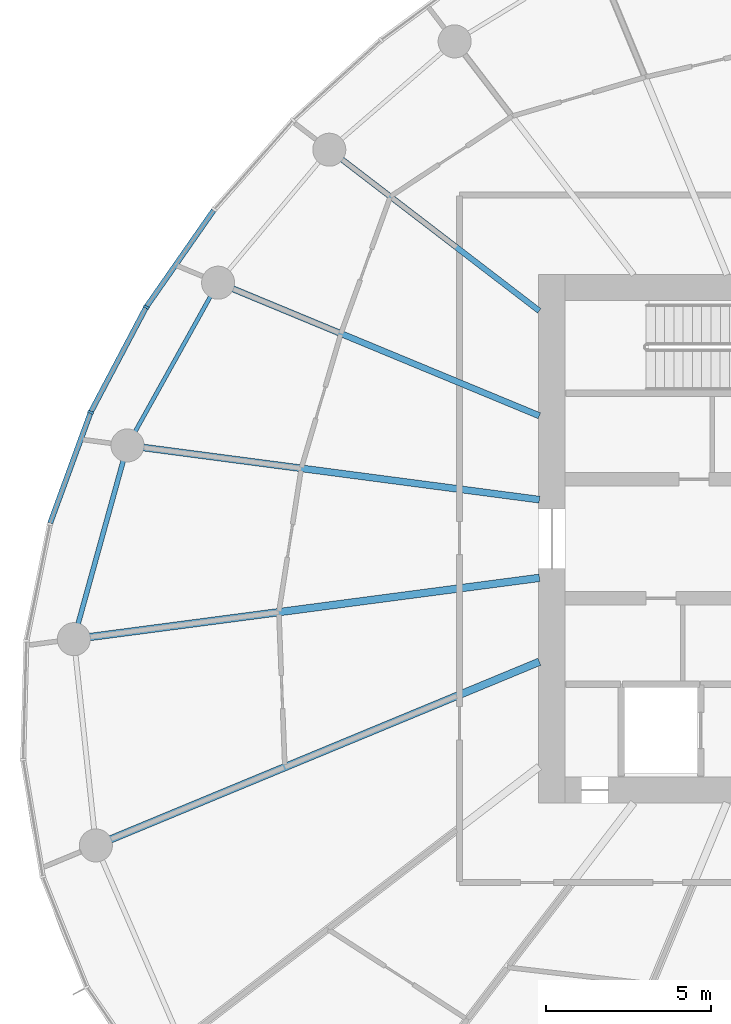
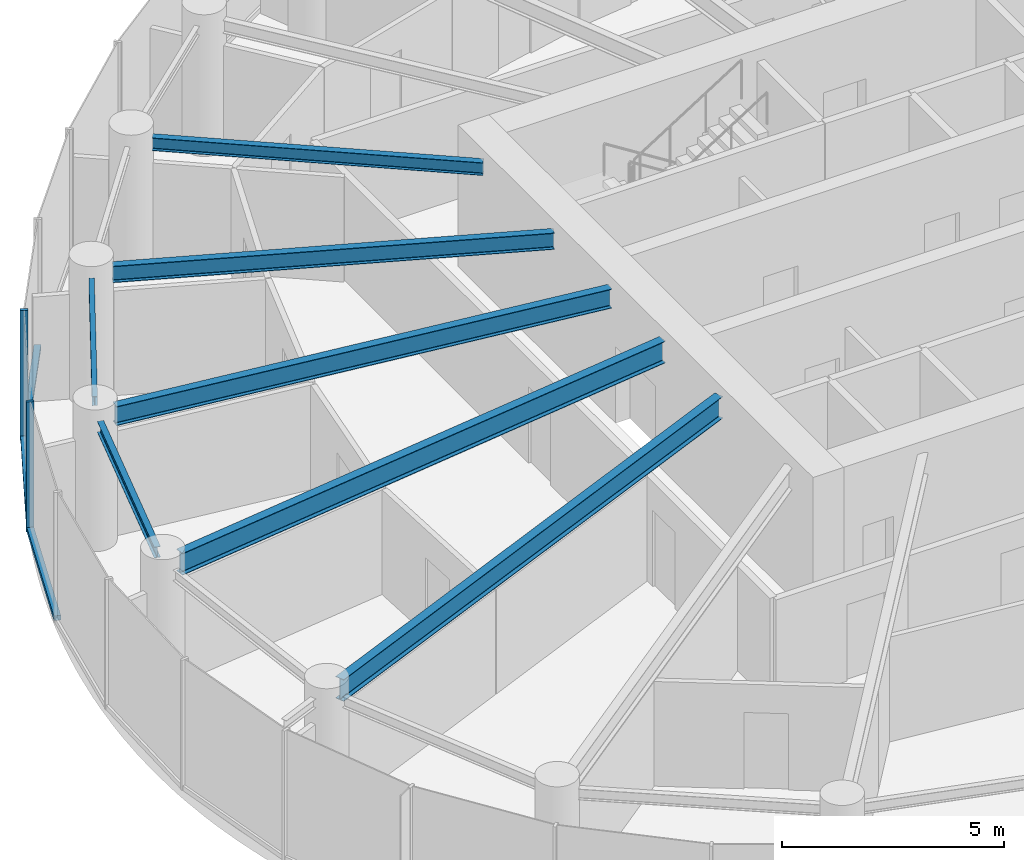
# One storey, part 3 of 14: 7 beams, 5 members, 1 element without a shape of its own.
"""IFC4 building model written with IfcOpenShell, lengths in metres."""

from ifc_helpers import new_model, si_unit, direction, frame, origin, origin_2d, place, context, subcontext, project, spatial, rectangle, i_section, extrude, source, transform, mapped, material, layer, layer_set, material_profile, profile_set, type_object, element, aggregate, save


model = new_model("IFC4")

# Units and contexts
model_context = context("Model", 3, precision=1e-05, world=origin(), true_north=direction((0.0, 1.0)))
body_context = subcontext(model_context, "Body", "Model", "MODEL_VIEW")
ifc_project = project(units=[si_unit("LENGTHUNIT", "METRE"), si_unit("AREAUNIT", "SQUARE_METRE"), si_unit("VOLUMEUNIT", "CUBIC_METRE"), si_unit("PLANEANGLEUNIT", "RADIAN"), si_unit("MASSUNIT", "GRAM", prefix="KILO")], contexts=[model_context])

# Site, building, storey
site_placement = place(None, origin())
site = spatial("IfcSite", under=ifc_project, at=site_placement, CompositionType="ELEMENT")
building_placement = place(site_placement, origin())
building = spatial("IfcBuilding", under=site, at=building_placement, Name="Spindrift Exchange Tower", CompositionType="ELEMENT")
storey_placement = place(building_placement, frame((0.0, 0.0, 156.5)))
storey = spatial("IfcBuildingStorey", under=building, at=storey_placement, Name="L37", CompositionType="ELEMENT", Elevation=156.5)

# Beams
ifc_material_1 = material(Name="Steel Grade 300", Category="steel")
ifc_material_profile_1 = material_profile(ifc_material_1, i_section(OverallWidth=0.1240234375, OverallDepth=0.248046875, WebThickness=0.0048828125, FlangeThickness=0.008056640625, FilletRadius=0.011962890625, at=origin_2d()), Name="250UB25.7")
ifc_profile_set_1 = profile_set([ifc_material_profile_1], Name="Steel Grade 300")
beam_type_1 = type_object("IfcBeamType", Name="Edge Beam 250UB25.7 Steel Grade 300", PredefinedType="SPANDREL", material=ifc_profile_set_1)
shared_shape_1 = source(origin(), body_context, "Body", "SweptSolid", [
    extrude(i_section(OverallWidth=0.1240234375, OverallDepth=0.248046875, WebThickness=0.0048828125, FlangeThickness=0.008056640625, FilletRadius=0.011962890625, at=origin_2d()), origin(), (0.0, 0.0, 1.0), 4.6748046875),
])
beam_1_placement = place(storey_placement, frame((33.067138671875, 55.326171875, 3.4560546875), z_axis=(-0.486587145143, -0.873632045075, 0.0), x_axis=(0.873632045075, -0.486587145143, 0.0)))
element("IfcBeam", 1, at=beam_1_placement, inside=storey, type_object=beam_type_1, Name="L37 edge beam E11", PredefinedType="SPANDREL", context=body_context, shape_type="MappedRepresentation", body=[
    mapped(shared_shape_1, transform((0.0, 0.0, 0.0), scale=1.0)),
])
ifc_material_profile_2 = material_profile(ifc_material_1, i_section(OverallWidth=0.14892578125, OverallDepth=0.298095703125, WebThickness=0.005615234375, FlangeThickness=0.008056640625, FilletRadius=0.012939453125, at=origin_2d()), Name="310UB32.0")
ifc_profile_set_2 = profile_set([ifc_material_profile_2], Name="Steel Grade 300")
beam_type_2 = type_object("IfcBeamType", Name="Edge Beam 310UB32.0 Steel Grade 300", PredefinedType="SPANDREL", material=ifc_profile_set_2)
shared_shape_2 = source(origin(), body_context, "Body", "SweptSolid", [
    extrude(i_section(OverallWidth=0.14892578125, OverallDepth=0.298095703125, WebThickness=0.005615234375, FlangeThickness=0.008056640625, FilletRadius=0.012939453125, at=origin_2d()), origin(), (0.0, 0.0, 1.0), 5.118896484375),
])
beam_2_placement = place(storey_placement, frame((30.430908203125, 50.360107421875, 3.430908203125), z_axis=(-0.266654866605, -0.963792084485, 0.0), x_axis=(0.963792084485, -0.266654866605, 0.0)))
element("IfcBeam", 2, at=beam_2_placement, inside=storey, type_object=beam_type_2, Name="L37 edge beam E12", PredefinedType="SPANDREL", context=body_context, shape_type="MappedRepresentation", body=[
    mapped(shared_shape_2, transform((0.0, 0.0, 0.0), scale=1.0)),
])
ifc_material_profile_3 = material_profile(ifc_material_1, i_section(OverallWidth=0.22802734375, OverallDepth=0.60205078125, WebThickness=0.010498046875, FlangeThickness=0.014892578125, FilletRadius=0.013916015625, at=origin_2d()), Name="610UB101")
ifc_profile_set_3 = profile_set([ifc_material_profile_3], Name="Steel Grade 300")
beam_type_3 = type_object("IfcBeamType", Name="Floor Beam 610UB101 Steel Grade 300", PredefinedType="BEAM", material=ifc_profile_set_3)
shared_shape_3 = source(origin(), body_context, "Body", "SweptSolid", [
    extrude(i_section(OverallWidth=0.22802734375, OverallDepth=0.60205078125, WebThickness=0.010498046875, FlangeThickness=0.014892578125, FilletRadius=0.013916015625, at=origin_2d()), origin(), (0.0, 0.0, 1.0), 13.723388671875),
])
beam_3_placement = place(storey_placement, frame((43.019775390625, 46.817626953125, 3.279052734375), z_axis=(-0.991447148915, -0.13050881544, 0.0), x_axis=(0.13050881544, -0.991447148915, 0.0)))
element("IfcBeam", 3, at=beam_3_placement, inside=storey, type_object=beam_type_3, Name="L37 radial beam R13A", PredefinedType="BEAM", context=body_context, shape_type="MappedRepresentation", body=[
    mapped(shared_shape_3, transform((0.0, 0.0, 0.0), scale=1.0)),
])
shared_shape_4 = source(origin(), body_context, "Body", "SweptSolid", [
    extrude(i_section(OverallWidth=0.22802734375, OverallDepth=0.60205078125, WebThickness=0.010498046875, FlangeThickness=0.014892578125, FilletRadius=0.013916015625, at=origin_2d()), origin(), (0.0, 0.0, 1.0), 14.04052734375),
])
beam_4_placement = place(storey_placement, frame((43.0185546875, 44.27978515625, 3.279052734375), z_axis=(-0.923879501748, -0.382683506634, 0.0), x_axis=(0.382683506634, -0.923879501748, 0.0)))
element("IfcBeam", 4, at=beam_4_placement, inside=storey, type_object=beam_type_3, Name="L37 radial beam R14A", PredefinedType="BEAM", context=body_context, shape_type="MappedRepresentation", body=[
    mapped(shared_shape_4, transform((0.0, 0.0, 0.0), scale=1.0)),
])
ifc_material_profile_4 = material_profile(ifc_material_1, i_section(OverallWidth=0.1708984375, OverallDepth=0.35205078125, WebThickness=0.0068359375, FlangeThickness=0.009765625, FilletRadius=0.013916015625, at=origin_2d()), Name="360UB44.7")
ifc_profile_set_4 = profile_set([ifc_material_profile_4], Name="Steel Grade 300")
beam_type_4 = type_object("IfcBeamType", Name="Floor Beam 360UB44.7 Steel Grade 300", PredefinedType="BEAM", material=ifc_profile_set_4)
shared_shape_5 = source(origin(), body_context, "Body", "SweptSolid", [
    extrude(i_section(OverallWidth=0.1708984375, OverallDepth=0.35205078125, WebThickness=0.0068359375, FlangeThickness=0.009765625, FilletRadius=0.013916015625, at=origin_2d()), origin(), (0.0, 0.0, 1.0), 7.52685546875),
])
beam_5_placement = place(storey_placement, frame((43.015869140625, 54.893798828125, 3.404052734375), z_axis=(-0.793354136078, 0.608760391918, 0.0), x_axis=(-0.608760391918, -0.793354136078, 0.0)))
element("IfcBeam", 5, at=beam_5_placement, inside=storey, type_object=beam_type_4, Name="L37 radial beam R10A", PredefinedType="BEAM", context=body_context, shape_type="MappedRepresentation", body=[
    mapped(shared_shape_5, transform((0.0, 0.0, 0.0), scale=1.0)),
])
ifc_material_profile_5 = material_profile(ifc_material_1, i_section(OverallWidth=0.18994140625, OverallDepth=0.4541015625, WebThickness=0.008544921875, FlangeThickness=0.0126953125, FilletRadius=0.013916015625, at=origin_2d()), Name="460UB67.1")
ifc_profile_set_5 = profile_set([ifc_material_profile_5], Name="Steel Grade 300")
beam_type_5 = type_object("IfcBeamType", Name="Floor Beam 460UB67.1 Steel Grade 300", PredefinedType="BEAM", material=ifc_profile_set_5)
shared_shape_6 = source(origin(), body_context, "Body", "SweptSolid", [
    extrude(i_section(OverallWidth=0.18994140625, OverallDepth=0.4541015625, WebThickness=0.008544921875, FlangeThickness=0.0126953125, FilletRadius=0.013916015625, at=origin_2d()), origin(), (0.0, 0.0, 1.0), 10.03857421875),
])
beam_6_placement = place(storey_placement, frame((43.0185546875, 51.72021484375, 3.35302734375), z_axis=(-0.923880777638, 0.382680426349, 0.0), x_axis=(-0.382680426349, -0.923880777638, 0.0)))
element("IfcBeam", 6, at=beam_6_placement, inside=storey, type_object=beam_type_5, Name="L37 radial beam R11A", PredefinedType="BEAM", context=body_context, shape_type="MappedRepresentation", body=[
    mapped(shared_shape_6, transform((0.0, 0.0, 0.0), scale=1.0)),
])
ifc_material_profile_6 = material_profile(ifc_material_1, i_section(OverallWidth=0.208984375, OverallDepth=0.528076171875, WebThickness=0.009521484375, FlangeThickness=0.01318359375, FilletRadius=0.013916015625, at=origin_2d()), Name="530UB82.0")
ifc_profile_set_6 = profile_set([ifc_material_profile_6], Name="Steel Grade 300")
beam_type_6 = type_object("IfcBeamType", Name="Floor Beam 530UB82.0 Steel Grade 300", PredefinedType="BEAM", material=ifc_profile_set_6)
shared_shape_7 = source(origin(), body_context, "Body", "SweptSolid", [
    extrude(i_section(OverallWidth=0.208984375, OverallDepth=0.528076171875, WebThickness=0.009521484375, FlangeThickness=0.01318359375, FilletRadius=0.013916015625, at=origin_2d()), origin(), (0.0, 0.0, 1.0), 12.088134765625),
])
beam_7_placement = place(storey_placement, frame((43.019775390625, 49.182373046875, 3.31591796875), z_axis=(-0.991447007302, 0.130509891244, 0.0), x_axis=(-0.130509891244, -0.991447007302, 0.0)))
element("IfcBeam", 7, at=beam_7_placement, inside=storey, type_object=beam_type_6, Name="L37 radial beam R12A", PredefinedType="BEAM", context=body_context, shape_type="MappedRepresentation", body=[
    mapped(shared_shape_7, transform((0.0, 0.0, 0.0), scale=1.0)),
])

# Curtain wall, members
ifc_material_2 = material(Name="Fritted laminated glass with bronze frame", Category="glass")
ifc_layer = layer(ifc_material_2, 0.179931640625)
ifc_layer_set = layer_set([ifc_layer], Name="ZONE 3 BRONZE FRITTED WALL")
curtain_wall_type = type_object("IfcCurtainWallType", Name="ZONE 3 BRONZE FRITTED WALL", PredefinedType="NOTDEFINED", material=ifc_layer_set)
curtain_wall_placement = place(storey_placement, origin())
curtain_wall = element("IfcCurtainWall", 8, at=curtain_wall_placement, inside=storey, type_object=curtain_wall_type, Name="L37 Zone 3 Bronze Fritted Wall run 3", PredefinedType="NOTDEFINED")
ifc_material_3 = material(Name="Bronze anodised aluminium", Category="aluminium")
ifc_material_profile_7 = material_profile(ifc_material_3, rectangle(XDim=0.159912109375, YDim=0.1298828125, at=origin_2d()), Name="ZONE 3 BRONZE FRITTED WALL TRANSOM 160X130")
ifc_profile_set_7 = profile_set([ifc_material_profile_7], Name="Bronze anodised aluminium")
member_type_1 = type_object("IfcMemberType", Name="ZONE 3 BRONZE FRITTED WALL TRANSOM 160X130", PredefinedType="USERDEFINED", material=ifc_profile_set_7)
shared_shape_8 = source(origin(), body_context, "Body", "SweptSolid", [
    extrude(rectangle(XDim=0.159912109375, YDim=0.1298828125, at=origin_2d()), origin(), (0.0, 0.0, 1.0), 3.5302734375),
])
member_1_placement = place(storey_placement, frame((31.10986328125, 54.97802734375, 0.06494140625), z_axis=(-0.466746599314, -0.88439109676, 0.0), x_axis=(0.88439109676, -0.466746599314, 0.0)))
member_1 = element("IfcMember", 9, at=member_1_placement, type_object=member_type_1, Name="L37 transom CW-3.15", ObjectType="TRANSOM", PredefinedType="USERDEFINED", context=body_context, shape_type="MappedRepresentation", body=[
    mapped(shared_shape_8, transform((0.0, 0.0, 0.0), scale=1.0)),
])
shared_shape_9 = source(origin(), body_context, "Body", "SweptSolid", [
    extrude(rectangle(XDim=0.159912109375, YDim=0.1298828125, at=origin_2d()), origin(), (0.0, 0.0, 1.0), 3.530517578125),
])
member_2_placement = place(storey_placement, frame((33.164794921875, 57.93408203125, 0.06494140625), z_axis=(-0.571753169713, -0.820425690068, 0.0), x_axis=(0.820425690068, -0.571753169713, 0.0)))
member_2 = element("IfcMember", 10, at=member_2_placement, type_object=member_type_1, Name="L37 transom CW-3.14", ObjectType="TRANSOM", PredefinedType="USERDEFINED", context=body_context, shape_type="MappedRepresentation", body=[
    mapped(shared_shape_9, transform((0.0, 0.0, 0.0), scale=1.0)),
])
ifc_material_profile_8 = material_profile(ifc_material_3, rectangle(XDim=0.070068359375, YDim=0.179931640625, at=origin_2d()), Name="ZONE 3 BRONZE FRITTED WALL MULLION 70X180")
ifc_profile_set_8 = profile_set([ifc_material_profile_8], Name="Bronze anodised aluminium")
member_type_2 = type_object("IfcMemberType", Name="ZONE 3 BRONZE FRITTED WALL MULLION 70X180", PredefinedType="MULLION", material=ifc_profile_set_8)
shared_shape_10 = source(origin(), body_context, "Body", "SweptSolid", [
    extrude(rectangle(XDim=0.070068359375, YDim=0.179931640625, at=origin_2d()), origin(), (0.0, 0.0, 1.0), 3.580078125),
])
member_3_placement = place(storey_placement, frame((31.126220703125, 55.009033203125, 0.0), z_axis=(0.0, 0.0, 1.0), x_axis=(-0.520249782642, -0.854014147225, 0.0)))
member_3 = element("IfcMember", 11, at=member_3_placement, type_object=member_type_2, Name="L37 mullion CW-3.15", PredefinedType="MULLION", context=body_context, shape_type="MappedRepresentation", body=[
    mapped(shared_shape_10, transform((0.0, 0.0, 0.0), scale=1.0)),
])
member_4_placement = place(storey_placement, frame((29.44580078125, 51.8251953125, 0.0), z_axis=(0.0, 0.0, 1.0), x_axis=(-0.405878701504, -0.913926955323, 0.0)))
member_4 = element("IfcMember", 12, at=member_4_placement, type_object=member_type_2, Name="L37 mullion CW-3.16", PredefinedType="MULLION", context=body_context, shape_type="MappedRepresentation", body=[
    mapped(shared_shape_10, transform((0.0, 0.0, 0.0), scale=1.0)),
])
shared_shape_11 = source(origin(), body_context, "Body", "SweptSolid", [
    extrude(rectangle(XDim=0.159912109375, YDim=0.1298828125, at=origin_2d()), origin(), (0.0, 0.0, 1.0), 3.529541015625),
])
member_5_placement = place(storey_placement, frame((29.433837890625, 51.792236328125, 0.06494140625), z_axis=(-0.343158919957, -0.939277358214, 0.0), x_axis=(0.939277358214, -0.343158919957, 0.0)))
member_5 = element("IfcMember", 13, at=member_5_placement, type_object=member_type_1, Name="L37 transom CW-3.16", ObjectType="TRANSOM", PredefinedType="USERDEFINED", context=body_context, shape_type="MappedRepresentation", body=[
    mapped(shared_shape_11, transform((0.0, 0.0, 0.0), scale=1.0)),
])
aggregate(curtain_wall, [member_2, member_3, member_1, member_4, member_5])

save(model, "model.ifc")
